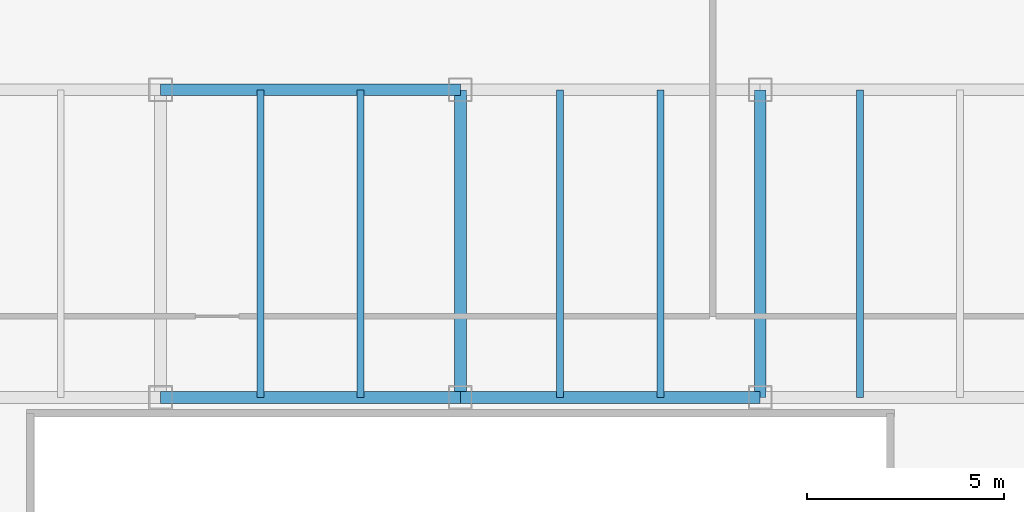
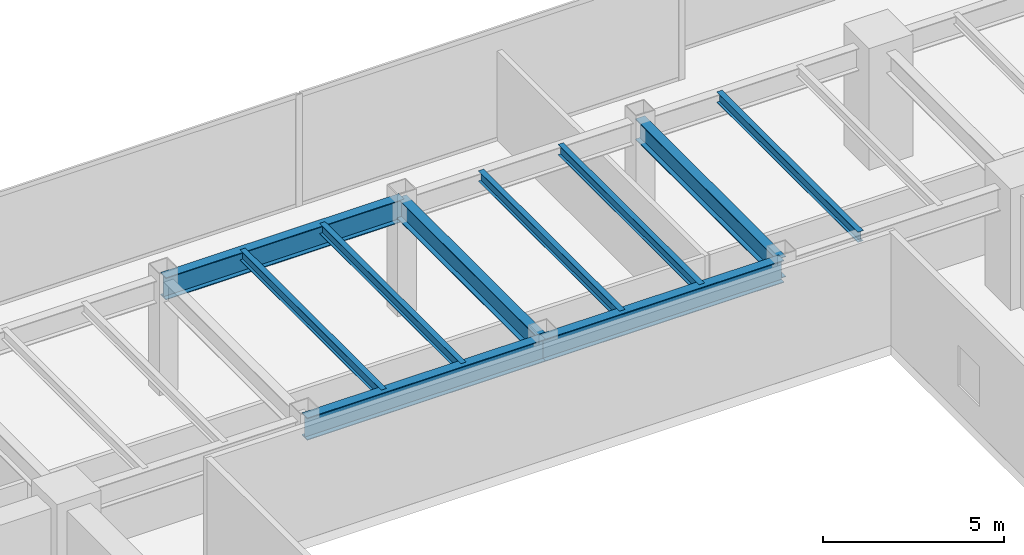
# One storey, part 17 of 35: 10 beams.
"""IFC4 building model written with IfcOpenShell, lengths in metres."""

from ifc_helpers import new_model, si_unit, direction, frame, origin, origin_2d, place, context, subcontext, project, spatial, i_section, extrude, source, transform, mapped, material, material_profile, profile_set, type_object, type_shapes, element, save


model = new_model("IFC4")

# Units and contexts
model_context = context("Model", 3, precision=1e-05, world=origin(), true_north=direction((0.0, 1.0)))
body_context = subcontext(model_context, "Body", "Model", "MODEL_VIEW")
ifc_project = project(units=[si_unit("LENGTHUNIT", "METRE"), si_unit("AREAUNIT", "SQUARE_METRE"), si_unit("VOLUMEUNIT", "CUBIC_METRE"), si_unit("PLANEANGLEUNIT", "RADIAN"), si_unit("MASSUNIT", "GRAM", prefix="KILO")], contexts=[model_context])

# Site, building, storey
site_placement = place(None, origin())
site = spatial("IfcSite", under=ifc_project, at=site_placement, CompositionType="ELEMENT")
building_placement = place(site_placement, origin())
building = spatial("IfcBuilding", under=site, at=building_placement, Name="Haelvirn Gate Laboratories", CompositionType="ELEMENT")
storey_placement = place(building_placement, frame((0.0, 0.0, 45.699951171875)))
storey = spatial("IfcBuildingStorey", under=building, at=storey_placement, Name="L11", CompositionType="ELEMENT", Elevation=45.699951171875)

# Beams
ifc_material = material(Name="Steel SM355", Category="steel")
ifc_material_profile_1 = material_profile(ifc_material, i_section(OverallWidth=0.300048828125, OverallDepth=0.699951171875, WebThickness=0.012939453125, FlangeThickness=0.02392578125, at=origin_2d()), Name="H-700x300x13x24")
ifc_profile_set_1 = profile_set([ifc_material_profile_1], Name="Steel SM355")
beam_type_1 = type_object("IfcBeamType", Name="BM-G-700", PredefinedType="BEAM", material=ifc_profile_set_1)
shared_shape_1 = source(origin(), body_context, "Body", "SweptSolid", [
    extrude(i_section(OverallWidth=0.300048828125, OverallDepth=0.699951171875, WebThickness=0.012939453125, FlangeThickness=0.02392578125, at=origin_2d()), origin(), (0.0, 0.0, 1.0), 7.800048828125),
])
type_shapes(beam_type_1, [shared_shape_1])
for number, where, z_axis, x_axis, name in (
    (1, (37.39990234375, 33.800048828125, 3.429931640625), (0.0, 1.0, 0.0), (-1.0, 0.0, 0.0), "L11 Frame Girder X37.4 (33.8-41.6)"),
    (2, (45.0, 33.800048828125, 3.429931640625), (0.0, 1.0, 0.0), (-1.0, 0.0, 0.0), "L11 Frame Girder X45.0 (33.8-41.6)"),
):
    element("IfcBeam", number, at=place(storey_placement, frame(where, z_axis=z_axis, x_axis=x_axis)), inside=storey, type_object=beam_type_1, Name=name, PredefinedType="BEAM", context=body_context, shape_type="MappedRepresentation", body=[
        mapped(shared_shape_1, transform((0.0, 0.0, 0.0), scale=1.0)),
    ])
ifc_material_profile_2 = material_profile(ifc_material, i_section(OverallWidth=0.300048828125, OverallDepth=0.75, WebThickness=0.013916015625, FlangeThickness=0.02392578125, at=origin_2d()), Name="H-750x300x14x24")
ifc_profile_set_2 = profile_set([ifc_material_profile_2], Name="Steel SM355")
beam_type_2 = type_object("IfcBeamType", Name="BM-G-750", PredefinedType="BEAM", material=ifc_profile_set_2)
shared_shape_2 = source(origin(), body_context, "Body", "SweptSolid", [
    extrude(i_section(OverallWidth=0.300048828125, OverallDepth=0.75, WebThickness=0.013916015625, FlangeThickness=0.02392578125, at=origin_2d()), origin(), (0.0, 0.0, 1.0), 7.60009765625),
])
beam_placement = place(storey_placement, frame((37.39990234375, 33.800048828125, 3.405029296875), z_axis=(1.0, 0.0, 0.0), x_axis=(0.0, 1.0, 0.0)))
element("IfcBeam", 3, at=beam_placement, inside=storey, type_object=beam_type_2, Name="L11 Primary Girder Y33.8 (37.4-45.0)", PredefinedType="BEAM", context=body_context, shape_type="MappedRepresentation", body=[
    mapped(shared_shape_2, transform((0.0, 0.0, 0.0), scale=1.0)),
])
shared_shape_3 = source(origin(), body_context, "Body", "SweptSolid", [
    extrude(i_section(OverallWidth=0.300048828125, OverallDepth=0.75, WebThickness=0.013916015625, FlangeThickness=0.02392578125, at=origin_2d()), origin(), (0.0, 0.0, 1.0), 7.599853515625),
])
type_shapes(beam_type_2, [shared_shape_2, shared_shape_3])
for number, where, z_axis, x_axis, name in (
    (4, (29.800048828125, 33.800048828125, 3.405029296875), (1.0, 0.0, 0.0), (0.0, 1.0, 0.0), "L11 Primary Girder Y33.8 (29.8-37.4)"),
    (5, (29.800048828125, 41.60009765625, 3.405029296875), (1.0, 0.0, 0.0), (0.0, 1.0, 0.0), "L11 Primary Girder Y41.6 (29.8-37.4)"),
):
    element("IfcBeam", number, at=place(storey_placement, frame(where, z_axis=z_axis, x_axis=x_axis)), inside=storey, type_object=beam_type_2, Name=name, PredefinedType="BEAM", context=body_context, shape_type="MappedRepresentation", body=[
        mapped(shared_shape_3, transform((0.0, 0.0, 0.0), scale=1.0)),
    ])
ifc_material_profile_3 = material_profile(ifc_material, i_section(OverallWidth=0.175048828125, OverallDepth=0.35009765625, WebThickness=0.007080078125, FlangeThickness=0.010986328125, at=origin_2d()), Name="H-350x175x7x11")
ifc_profile_set_3 = profile_set([ifc_material_profile_3], Name="Steel SM355")
beam_type_3 = type_object("IfcBeamType", Name="BM-J-350", PredefinedType="JOIST", material=ifc_profile_set_3)
shared_shape_4 = source(origin(), body_context, "Body", "SweptSolid", [
    extrude(i_section(OverallWidth=0.175048828125, OverallDepth=0.35009765625, WebThickness=0.007080078125, FlangeThickness=0.010986328125, at=origin_2d()), origin(), (0.0, 0.0, 1.0), 7.800048828125),
])
type_shapes(beam_type_3, [shared_shape_4])
for number, where, z_axis, x_axis, name in (
    (6, (32.330078125, 33.800048828125, 3.60498046875), (0.0, 1.0, 0.0), (-1.0, 0.0, 0.0), "L11 Composite Lab Joist North X32.33"),
    (7, (34.8701171875, 33.800048828125, 3.60498046875), (0.0, 1.0, 0.0), (-1.0, 0.0, 0.0), "L11 Composite Lab Joist North X34.87"),
    (8, (39.929931640625, 33.800048828125, 3.60498046875), (0.0, 1.0, 0.0), (-1.0, 0.0, 0.0), "L11 Composite Lab Joist North X39.93"),
    (9, (42.469970703125, 33.800048828125, 3.60498046875), (0.0, 1.0, 0.0), (-1.0, 0.0, 0.0), "L11 Composite Lab Joist North X42.47"),
    (10, (47.530029296875, 33.800048828125, 3.60498046875), (0.0, 1.0, 0.0), (-1.0, 0.0, 0.0), "L11 Composite Lab Joist North X47.53"),
):
    element("IfcBeam", number, at=place(storey_placement, frame(where, z_axis=z_axis, x_axis=x_axis)), inside=storey, type_object=beam_type_3, Name=name, PredefinedType="JOIST", context=body_context, shape_type="MappedRepresentation", body=[
        mapped(shared_shape_4, transform((0.0, 0.0, 0.0), scale=1.0)),
    ])

save(model, "model.ifc")
